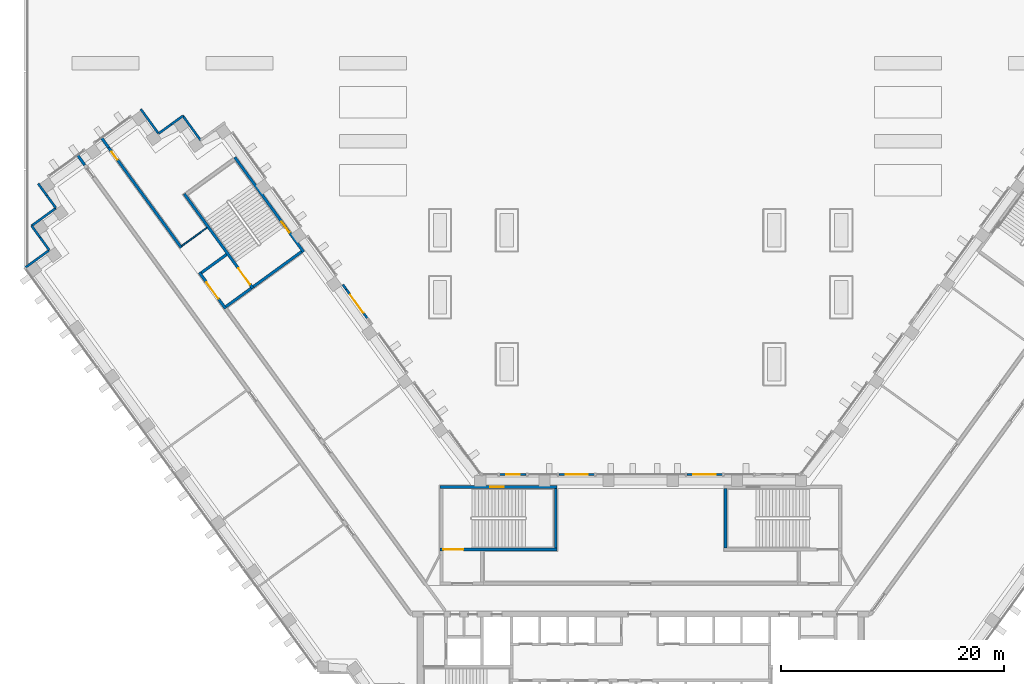
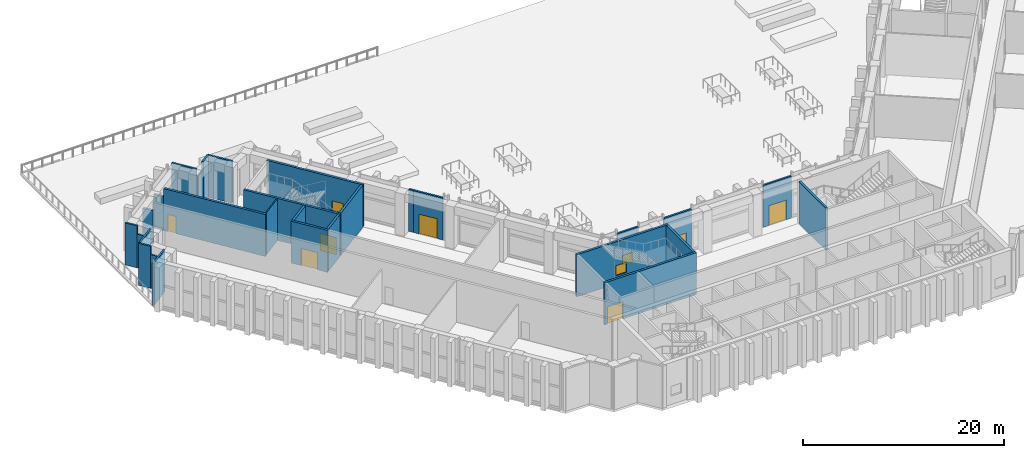
# One storey, part 16 of 25: 29 walls, 7 doors, 3 windows, 10 openings.
"""IFC4 building model written with IfcOpenShell, lengths in metres."""

from ifc_helpers import new_model, si_unit, direction, frame, frame_2d, origin, place, context, subcontext, project, spatial, rectangle, extrude, material, layer, layer_set, type_object, element, fill, save


model = new_model("IFC4")

# Units and contexts
model_context = context("Model", 3, precision=1e-05, world=origin(), true_north=direction((0.0, 1.0)))
body_context = subcontext(model_context, "Body", "Model", "MODEL_VIEW")
ifc_project = project(units=[si_unit("LENGTHUNIT", "METRE"), si_unit("AREAUNIT", "SQUARE_METRE"), si_unit("VOLUMEUNIT", "CUBIC_METRE"), si_unit("PLANEANGLEUNIT", "RADIAN"), si_unit("MASSUNIT", "GRAM", prefix="KILO")], contexts=[model_context])

# Site, building, storey
site_placement = place(None, origin())
site = spatial("IfcSite", under=ifc_project, at=site_placement, CompositionType="ELEMENT")
building_placement = place(site_placement, origin())
building = spatial("IfcBuilding", under=site, at=building_placement, Name="Quipu Civic Tower", CompositionType="ELEMENT")
storey_placement = place(building_placement, frame((0.0, 0.0, 6.0)))
storey = spatial("IfcBuildingStorey", under=building, at=storey_placement, Name="L01", CompositionType="ELEMENT", Elevation=6.0)

# Wall, opening, door
ifc_material_1 = material(Name="Concrete C70/85", Category="concrete")
ifc_layer_1 = layer(ifc_material_1, 0.25)
ifc_layer_set_1 = layer_set([ifc_layer_1], Name="Concrete C70/85")
wall_type_1 = type_object("IfcWallType", Name="Core wall 250", PredefinedType="SHEAR", material=ifc_layer_set_1)
wall_1_placement = place(storey_placement, frame((-18.0, 4.375, 0.0), z_axis=(0.0, 0.0, 1.0), x_axis=(1.0, 0.0, 0.0)))
wall_1 = element("IfcWall", 1, at=wall_1_placement, inside=storey, type_object=wall_type_1, Name="Core wall", PredefinedType="SHEAR", context=body_context, shape_type="SweptSolid", body=[
    extrude(rectangle(XDim=10.5, YDim=0.25, at=frame_2d((5.25, 0.0))), origin(), (0.0, 0.0, 1.0), 5.10009765625),
])
opening_1_placement = place(wall_1_placement, frame((0.300048828125, 0.0, 0.0)))
opening_1 = element("IfcOpeningElement", 2, at=opening_1_placement, cuts=wall_1, Name="Opening CD-16", PredefinedType="OPENING", context=body_context, shape_type="SweptSolid", body=[
    extrude(rectangle(XDim=1.800048828125, YDim=2.10009765625, at=frame_2d((0.89990234375, 1.050048828125))), frame((0.0, 0.135009765625, 0.0), z_axis=(0.0, -1.0, 0.0), x_axis=(1.0, 0.0, 0.0)), (0.0, 0.0, 1.0), 0.27001953125),
])
ifc_material_2 = material(Name="Fire rated steel door", Category="steel")
door_type_1 = type_object("IfcDoorType", Name="Fire door FD90 double 1800 x 2100", OperationType="NOTDEFINED", PredefinedType="DOOR", material=ifc_material_2)
door_1_placement = place(opening_1_placement, origin())
door_1 = element("IfcDoor", 3, at=door_1_placement, inside=storey, type_object=door_type_1, Name="Door", OperationType="DOUBLE_DOOR_SINGLE_SWING", OverallHeight=2.10009765625, OverallWidth=1.800048828125, PredefinedType="DOOR", context=body_context, shape_type="SweptSolid", body=[
    extrude(rectangle(XDim=1.800048828125, YDim=2.10009765625, at=frame_2d((0.89990234375, 1.050048828125))), frame((0.0, 0.02490234375, 0.0), z_axis=(0.0, -1.0, 0.0), x_axis=(1.0, 0.0, 0.0)), (0.0, 0.0, 1.0), 0.050048828125),
])
fill(opening_1, door_1)

# Wall
wall_2_placement = place(storey_placement, frame((-7.625, 4.5, 0.0), z_axis=(0.0, 0.0, 1.0), x_axis=(0.0, 1.0, 0.0)))
element("IfcWall", 4, at=wall_2_placement, inside=storey, type_object=wall_type_1, Name="Core wall", PredefinedType="SHEAR", context=body_context, shape_type="SweptSolid", body=[
    extrude(rectangle(XDim=5.35009765625, YDim=0.25, at=frame_2d((2.675048828125, 0.0))), origin(), (0.0, 0.0, 1.0), 5.10009765625),
])

# Wall, opening, window
wall_3_placement = place(storey_placement, frame((-18.0, 9.97509765625, 0.0), z_axis=(0.0, 0.0, 1.0), x_axis=(1.0, 0.0, 0.0)))
wall_3 = element("IfcWall", 5, at=wall_3_placement, inside=storey, type_object=wall_type_1, Name="Core wall", PredefinedType="SHEAR", context=body_context, shape_type="SweptSolid", body=[
    extrude(rectangle(XDim=10.5, YDim=0.25, at=frame_2d((5.25, 0.0))), origin(), (0.0, 0.0, 1.0), 5.10009765625),
])
opening_2_placement = place(wall_3_placement, frame((4.5, 0.0, 1.0)))
opening_2 = element("IfcOpeningElement", 6, at=opening_2_placement, cuts=wall_3, Name="Opening SV-3", PredefinedType="OPENING", context=body_context, shape_type="SweptSolid", body=[
    extrude(rectangle(XDim=1.199951171875, YDim=1.199951171875, at=frame_2d((0.60009765625, 0.60009765625))), frame((0.0, 0.135009765625, 0.0), z_axis=(0.0, -1.0, 0.0), x_axis=(1.0, 0.0, 0.0)), (0.0, 0.0, 1.0), 0.27001953125),
])
ifc_material_3 = material(Name="Aluminium louvre", Category="aluminium")
window_type_1 = type_object("IfcWindowType", Name="Stair ventilation louvre 1200 x 1200", PartitioningType="SINGLE_PANEL", PredefinedType="WINDOW", material=ifc_material_3)
window_1_placement = place(opening_2_placement, origin())
window_1 = element("IfcWindow", 7, at=window_1_placement, inside=storey, type_object=window_type_1, Name="Stair ventilation opening", OverallHeight=1.199951171875, OverallWidth=1.199951171875, PartitioningType="SINGLE_PANEL", PredefinedType="WINDOW", context=body_context, shape_type="SweptSolid", body=[
    extrude(rectangle(XDim=1.199951171875, YDim=1.199951171875, at=frame_2d((0.60009765625, 0.60009765625))), frame((0.0, 0.030029296875, 0.0), z_axis=(0.0, -1.0, 0.0), x_axis=(1.0, 0.0, 0.0)), (0.0, 0.0, 1.0), 0.06005859375),
])
fill(opening_2, window_1)

# Wall
wall_4_placement = place(storey_placement, frame((7.625, 4.5, 0.0), z_axis=(0.0, 0.0, 1.0), x_axis=(0.0, 1.0, 0.0)))
element("IfcWall", 8, at=wall_4_placement, inside=storey, type_object=wall_type_1, Name="Core wall", PredefinedType="SHEAR", context=body_context, shape_type="SweptSolid", body=[
    extrude(rectangle(XDim=5.35009765625, YDim=0.25, at=frame_2d((2.675048828125, 0.0))), origin(), (0.0, 0.0, 1.0), 5.10009765625),
])

# Wall, opening, window
wall_5_placement = place(storey_placement, frame((-30.239501953125, 31.06396484375, 0.0), z_axis=(0.0, 0.0, 1.0), x_axis=(-0.587795589702, 0.809009483706, 0.0)))
wall_5 = element("IfcWall", 9, at=wall_5_placement, inside=storey, type_object=wall_type_1, Name="Core wall", PredefinedType="SHEAR", context=body_context, shape_type="SweptSolid", body=[
    extrude(rectangle(XDim=10.5, YDim=0.25, at=frame_2d((5.25, 0.0))), origin(), (0.0, 0.0, 1.0), 5.10009765625),
])
opening_3_placement = place(wall_5_placement, frame((2.14990234375, 0.0, 1.0)))
opening_3 = element("IfcOpeningElement", 10, at=opening_3_placement, cuts=wall_5, Name="Opening SV-6", PredefinedType="OPENING", context=body_context, shape_type="SweptSolid", body=[
    extrude(rectangle(XDim=1.199951171875, YDim=1.199951171875, at=frame_2d((0.60009765625, 0.60009765625))), frame((0.0, 0.135009765625, 0.0), z_axis=(0.0, -1.0, 0.0), x_axis=(1.0, 0.0, 0.0)), (0.0, 0.0, 1.0), 0.27001953125),
])
window_2_placement = place(opening_3_placement, origin())
window_2 = element("IfcWindow", 11, at=window_2_placement, inside=storey, type_object=window_type_1, Name="Stair ventilation opening", OverallHeight=1.199951171875, OverallWidth=1.199951171875, PartitioningType="SINGLE_PANEL", PredefinedType="WINDOW", context=body_context, shape_type="SweptSolid", body=[
    extrude(rectangle(XDim=1.199951171875, YDim=1.199951171875, at=frame_2d((0.60009765625, 0.60009765625))), frame((0.0, 0.030029296875, 0.0), z_axis=(0.0, -1.0, 0.0), x_axis=(1.0, 0.0, 0.0)), (0.0, 0.0, 1.0), 0.06005859375),
])
fill(opening_3, window_2)

# Wall
wall_6_placement = place(storey_placement, frame((-30.414306640625, 31.091796875, 0.0), z_axis=(0.0, 0.0, 1.0), x_axis=(-0.8089984606, -0.587810760999, 0.0)))
element("IfcWall", 12, at=wall_6_placement, inside=storey, type_object=wall_type_1, Name="Core wall", PredefinedType="SHEAR", context=body_context, shape_type="SweptSolid", body=[
    extrude(rectangle(XDim=5.35009765625, YDim=0.25, at=frame_2d((2.675048828125, 0.0))), origin(), (0.0, 0.0, 1.0), 5.10009765625),
])

# Wall, opening, door
wall_7_placement = place(storey_placement, frame((-40.94189453125, 36.26708984375, 0.0), z_axis=(0.0, 0.0, 1.0), x_axis=(0.587795589702, -0.809009483706, 0.0)))
wall_7 = element("IfcWall", 13, at=wall_7_placement, inside=storey, type_object=wall_type_1, Name="Core wall", PredefinedType="SHEAR", context=body_context, shape_type="SweptSolid", body=[
    extrude(rectangle(XDim=10.5, YDim=0.25, at=frame_2d((5.25, 0.0))), origin(), (0.0, 0.0, 1.0), 5.10009765625),
])
opening_4_placement = place(wall_7_placement, frame((8.25, 0.0, 0.0)))
opening_4 = element("IfcOpeningElement", 14, at=opening_4_placement, cuts=wall_7, Name="Opening CD-19", PredefinedType="OPENING", context=body_context, shape_type="SweptSolid", body=[
    extrude(rectangle(XDim=1.800048828125, YDim=2.10009765625, at=frame_2d((0.89990234375, 1.050048828125))), frame((0.0, 0.135009765625, 0.0), z_axis=(0.0, -1.0, 0.0), x_axis=(1.0, 0.0, 0.0)), (0.0, 0.0, 1.0), 0.27001953125),
])
door_2_placement = place(opening_4_placement, origin())
door_2 = element("IfcDoor", 15, at=door_2_placement, inside=storey, type_object=door_type_1, Name="Door", OperationType="DOUBLE_DOOR_SINGLE_SWING", OverallHeight=2.10009765625, OverallWidth=1.800048828125, PredefinedType="DOOR", context=body_context, shape_type="SweptSolid", body=[
    extrude(rectangle(XDim=1.800048828125, YDim=2.10009765625, at=frame_2d((0.89990234375, 1.050048828125))), frame((0.0, 0.02490234375, 0.0), z_axis=(0.0, -1.0, 0.0), x_axis=(1.0, 0.0, 0.0)), (0.0, 0.0, 1.0), 0.050048828125),
])
fill(opening_4, door_2)

# Walls
for number, where, z_axis, x_axis, name in (
    (16, (-34.944580078125, 27.800048828125, 0.0), (0.0, 0.0, 1.0), (-0.809041377956, -0.587751689708, 0.0), "Core wall"),
    (17, (-37.14892578125, 30.833984375, 0.0), (0.0, 0.0, 1.0), (-0.808969789945, -0.58785021813, 0.0), "Core wall"),
):
    element("IfcWall", number, at=place(storey_placement, frame(where, z_axis=z_axis, x_axis=x_axis)), inside=storey, type_object=wall_type_1, Name=name, PredefinedType="SHEAR", context=body_context, shape_type="SweptSolid", body=[
        extrude(rectangle(XDim=2.800048828125, YDim=0.25, at=frame_2d((1.39990234375, 0.0))), origin(), (0.0, 0.0, 1.0), 5.10009765625),
    ])

# Wall, opening, door
wall_8_placement = place(storey_placement, frame((-39.588623046875, 29.2158203125, 0.0), z_axis=(0.0, 0.0, 1.0), x_axis=(0.587772420479, -0.809026317077, 0.0)))
wall_8 = element("IfcWall", 18, at=wall_8_placement, inside=storey, type_object=wall_type_1, Name="Core wall", PredefinedType="SHEAR", context=body_context, shape_type="SweptSolid", body=[
    extrude(rectangle(XDim=4.0, YDim=0.25, at=frame_2d((2.0, 0.0))), origin(), (0.0, 0.0, 1.0), 5.10009765625),
])
opening_5_placement = place(wall_8_placement, frame((1.10009765625, 0.0, 0.0)))
opening_5 = element("IfcOpeningElement", 19, at=opening_5_placement, cuts=wall_8, Name="Opening CD-20", PredefinedType="OPENING", context=body_context, shape_type="SweptSolid", body=[
    extrude(rectangle(XDim=1.800048828125, YDim=2.10009765625, at=frame_2d((0.89990234375, 1.050048828125))), frame((0.0, 0.135009765625, 0.0), z_axis=(0.0, -1.0, 0.0), x_axis=(1.0, 0.0, 0.0)), (0.0, 0.0, 1.0), 0.27001953125),
])
door_3_placement = place(opening_5_placement, origin())
door_3 = element("IfcDoor", 20, at=door_3_placement, inside=storey, type_object=door_type_1, Name="Lobby door", OperationType="DOUBLE_DOOR_SINGLE_SWING", OverallHeight=2.10009765625, OverallWidth=1.800048828125, PredefinedType="DOOR", context=body_context, shape_type="SweptSolid", body=[
    extrude(rectangle(XDim=1.800048828125, YDim=2.10009765625, at=frame_2d((0.89990234375, 1.050048828125))), frame((0.0, 0.02490234375, 0.0), z_axis=(0.0, -1.0, 0.0), x_axis=(1.0, 0.0, 0.0)), (0.0, 0.0, 1.0), 0.050048828125),
])
fill(opening_5, door_3)

ifc_material_4 = material(Name="Concrete C50/60", Category="concrete")
ifc_layer_2 = layer(ifc_material_4, 0.25)
ifc_layer_set_2 = layer_set([ifc_layer_2], Name="Concrete C50/60")
wall_type_2 = type_object("IfcWallType", Name="Corridor wall 250 concrete", PredefinedType="SOLIDWALL", material=ifc_layer_set_2)
wall_9_placement = place(storey_placement, frame((-47.724853515625, 40.414306640625, 0.0), z_axis=(0.0, 0.0, 1.0), x_axis=(0.587773291021, -0.809025684612, 0.0)))
wall_9 = element("IfcWall", 21, at=wall_9_placement, inside=storey, type_object=wall_type_2, Name="Corridor wall C03", PredefinedType="SOLIDWALL", context=body_context, shape_type="SweptSolid", body=[
    extrude(rectangle(XDim=11.07861328125, YDim=0.25, at=frame_2d((5.539306640625, 0.0))), origin(), (0.0, 0.0, 1.0), 5.10009765625),
])
opening_6_placement = place(wall_9_placement, frame((0.442138671875, 0.0, 0.0)))
opening_6 = element("IfcOpeningElement", 22, at=opening_6_placement, cuts=wall_9, Name="Opening D010", PredefinedType="OPENING", context=body_context, shape_type="SweptSolid", body=[
    extrude(rectangle(XDim=0.89990234375, YDim=2.10009765625, at=frame_2d((0.449951171875, 1.050048828125))), frame((0.0, 0.135009765625, 0.0), z_axis=(0.0, -1.0, 0.0), x_axis=(1.0, 0.0, 0.0)), (0.0, 0.0, 1.0), 0.27001953125),
])
ifc_material_5 = material(Name="Fire rated timber door set with metal frame", Category="wood")
door_type_2 = type_object("IfcDoorType", Name="Single door 900 x 2100 FD60", OperationType="NOTDEFINED", PredefinedType="DOOR", material=ifc_material_5)
door_4_placement = place(opening_6_placement, origin())
door_4 = element("IfcDoor", 23, at=door_4_placement, inside=storey, type_object=door_type_2, Name="Door D010", OperationType="SINGLE_SWING_LEFT", OverallHeight=2.10009765625, OverallWidth=0.89990234375, PredefinedType="DOOR", context=body_context, shape_type="SweptSolid", body=[
    extrude(rectangle(XDim=0.89990234375, YDim=2.10009765625, at=frame_2d((0.449951171875, 1.050048828125))), frame((0.0, 0.02490234375, 0.0), z_axis=(0.0, -1.0, 0.0), x_axis=(1.0, 0.0, 0.0)), (0.0, 0.0, 1.0), 0.050048828125),
])
fill(opening_6, door_4)

# Walls
wall_10_placement = place(storey_placement, frame((-49.86865234375, 38.8564453125, 0.0), z_axis=(0.0, 0.0, 1.0), x_axis=(-0.587674273289, 0.809097613712, 0.0)))
element("IfcWall", 24, at=wall_10_placement, inside=storey, type_object=wall_type_2, Name="Corridor wall C02", PredefinedType="SOLIDWALL", context=body_context, shape_type="SweptSolid", body=[
    extrude(rectangle(XDim=1.109130859375, YDim=0.25, at=frame_2d((0.5546875, 0.0))), origin(), (0.0, 0.0, 1.0), 4.10009765625),
])
wall_11_placement = place(storey_placement, frame((-47.724853515625, 40.414306640625, 0.0), z_axis=(0.0, 0.0, 1.0), x_axis=(-0.587883639643, 0.808945502639, 0.0)))
element("IfcWall", 25, at=wall_11_placement, inside=storey, type_object=wall_type_2, Name="Corridor wall C03", PredefinedType="SOLIDWALL", context=body_context, shape_type="SweptSolid", body=[
    extrude(rectangle(XDim=1.10888671875, YDim=0.25, at=frame_2d((0.554443359375, 0.0))), origin(), (0.0, 0.0, 1.0), 4.10009765625),
])
ifc_material_6 = material(Name="Gypsum plasterboard on light gauge framing")
ifc_layer_3 = layer(ifc_material_6, 0.1201171875)
ifc_layer_set_3 = layer_set([ifc_layer_3], Name="Gypsum plasterboard on light gauge framing")
wall_type_3 = type_object("IfcWallType", Name="Partition 120 plasterboard", PredefinedType="PARTITIONING", material=ifc_layer_set_3)
wall_12_placement = place(storey_placement, frame((-41.166015625, 31.59912109375, 0.0), z_axis=(0.0, 0.0, 1.0), x_axis=(0.809090262332, 0.587684394381, 0.0)))
element("IfcWall", 26, at=wall_12_placement, inside=storey, type_object=wall_type_3, Name="Partition P11", PredefinedType="PARTITIONING", context=body_context, shape_type="SweptSolid", body=[
    extrude(rectangle(XDim=2.80078125, YDim=0.1201171875, at=frame_2d((1.400390625, 0.0))), origin(), (0.0, 0.0, 1.0), 5.10009765625),
])
ifc_material_7 = material(Name="Precast concrete C40/50", Category="concrete")
wall_type_4 = type_object("IfcWallType", Name="Precast cladding wall", PredefinedType="SOLIDWALL", material=ifc_material_7)
wall_13_placement = place(storey_placement, frame((-39.488037109375, 41.093505859375, 0.0), z_axis=(0.0, 0.0, 1.0), x_axis=(-0.587806000234, 0.809001919707, 0.0)))
element("IfcWall", 27, at=wall_13_placement, inside=storey, type_object=wall_type_4, Name="Precast cladding wall L01 11", PredefinedType="SOLIDWALL", context=body_context, shape_type="SweptSolid", body=[
    extrude(rectangle(XDim=2.69970703125, YDim=0.199951171875, at=frame_2d((1.349853515625, 0.0))), origin(), (0.0, 0.0, 1.0), 5.10009765625),
])
wall_14_placement = place(storey_placement, frame((-41.05810546875, 43.275146484375, 0.0), z_axis=(0.0, 0.0, 1.0), x_axis=(-0.809056865039, -0.587730371117, 0.0)))
element("IfcWall", 28, at=wall_14_placement, inside=storey, type_object=wall_type_4, Name="Precast cladding wall L01 12", PredefinedType="SOLIDWALL", context=body_context, shape_type="SweptSolid", body=[
    extrude(rectangle(XDim=1.31591796875, YDim=0.199951171875, at=frame_2d((0.657958984375, 0.0))), origin(), (0.0, 0.0, 1.0), 5.10009765625),
])
wall_15_placement = place(storey_placement, frame((-42.122802734375, 42.501708984375, 0.0), z_axis=(0.0, 0.0, 1.0), x_axis=(-0.808926734208, -0.5879094647, 0.0)))
element("IfcWall", 29, at=wall_15_placement, inside=storey, type_object=wall_type_4, Name="Precast cladding wall L01 12 a", PredefinedType="SOLIDWALL", context=body_context, shape_type="SweptSolid", body=[
    extrude(rectangle(XDim=1.384033203125, YDim=0.199951171875, at=frame_2d((0.69189453125, 0.0))), origin(), (0.0, 0.0, 1.0), 4.10009765625),
])
wall_16_placement = place(storey_placement, frame((-43.25927734375, 41.690673828125, 0.0), z_axis=(0.0, 0.0, 1.0), x_axis=(-0.587822180636, 0.808990163075, 0.0)))
element("IfcWall", 30, at=wall_16_placement, inside=storey, type_object=wall_type_4, Name="Precast cladding wall L01 13", PredefinedType="SOLIDWALL", context=body_context, shape_type="SweptSolid", body=[
    extrude(rectangle(XDim=2.699951171875, YDim=0.199951171875, at=frame_2d((1.35009765625, 0.0))), origin(), (0.0, 0.0, 1.0), 5.10009765625),
])
wall_17_placement = place(storey_placement, frame((-54.0498046875, 37.1884765625, 0.0), z_axis=(0.0, 0.0, 1.0), x_axis=(0.58786388341, -0.808959859686, 0.0)))
element("IfcWall", 31, at=wall_17_placement, inside=storey, type_object=wall_type_4, Name="Precast cladding wall L01 16", PredefinedType="SOLIDWALL", context=body_context, shape_type="SweptSolid", body=[
    extrude(rectangle(XDim=1.320556640625, YDim=0.199951171875, at=frame_2d((0.66015625, 0.0))), origin(), (0.0, 0.0, 1.0), 5.10009765625),
])
wall_18_placement = place(storey_placement, frame((-53.2734375, 36.1201171875, 0.0), z_axis=(0.0, 0.0, 1.0), x_axis=(0.587782252522, -0.809019173827, 0.0)))
element("IfcWall", 32, at=wall_18_placement, inside=storey, type_object=wall_type_4, Name="Precast cladding wall L01 16 a", PredefinedType="SOLIDWALL", context=body_context, shape_type="SweptSolid", body=[
    extrude(rectangle(XDim=1.37939453125, YDim=0.199951171875, at=frame_2d((0.689697265625, 0.0))), origin(), (0.0, 0.0, 1.0), 4.10009765625),
])
wall_19_placement = place(storey_placement, frame((-52.46533203125, 34.9873046875, 0.0), z_axis=(0.0, 0.0, 1.0), x_axis=(-0.809033161865, -0.587762999008, 0.0)))
element("IfcWall", 33, at=wall_19_placement, inside=storey, type_object=wall_type_4, Name="Precast cladding wall L01 17", PredefinedType="SOLIDWALL", context=body_context, shape_type="SweptSolid", body=[
    extrude(rectangle(XDim=2.699951171875, YDim=0.199951171875, at=frame_2d((1.35009765625, 0.0))), origin(), (0.0, 0.0, 1.0), 5.10009765625),
])
wall_20_placement = place(storey_placement, frame((-54.647216796875, 33.4169921875, 0.0), z_axis=(0.0, 0.0, 1.0), x_axis=(0.587871379726, -0.808954412127, 0.0)))
element("IfcWall", 34, at=wall_20_placement, inside=storey, type_object=wall_type_4, Name="Precast cladding wall L01 18", PredefinedType="SOLIDWALL", context=body_context, shape_type="SweptSolid", body=[
    extrude(rectangle(XDim=1.30517578125, YDim=0.199951171875, at=frame_2d((0.652587890625, 0.0))), origin(), (0.0, 0.0, 1.0), 5.10009765625),
])
wall_21_placement = place(storey_placement, frame((-53.8798828125, 32.361083984375, 0.0), z_axis=(0.0, 0.0, 1.0), x_axis=(0.587776137069, -0.809023616894, 0.0)))
element("IfcWall", 35, at=wall_21_placement, inside=storey, type_object=wall_type_4, Name="Precast cladding wall L01 18 a", PredefinedType="SOLIDWALL", context=body_context, shape_type="SweptSolid", body=[
    extrude(rectangle(XDim=1.394775390625, YDim=0.199951171875, at=frame_2d((0.697265625, 0.0))), origin(), (0.0, 0.0, 1.0), 4.10009765625),
])
wall_22_placement = place(storey_placement, frame((-53.062744140625, 31.2158203125, 0.0), z_axis=(0.0, 0.0, 1.0), x_axis=(-0.809033161865, -0.587762999008, 0.0)))
element("IfcWall", 36, at=wall_22_placement, inside=storey, type_object=wall_type_4, Name="Precast cladding wall L01 19", PredefinedType="SOLIDWALL", context=body_context, shape_type="SweptSolid", body=[
    extrude(rectangle(XDim=2.699951171875, YDim=0.199951171875, at=frame_2d((1.35009765625, 0.0))), origin(), (0.0, 0.0, 1.0), 5.10009765625),
])

# Wall, opening, window
wall_23_placement = place(storey_placement, frame((-10.263427734375, 11.10009765625, 0.0), z_axis=(0.0, 0.0, 1.0), x_axis=(-1.0, 0.0, 0.0)))
wall_23 = element("IfcWall", 37, at=wall_23_placement, inside=storey, type_object=wall_type_4, Name="Vent surround SF-L01-1", PredefinedType="SOLIDWALL", context=body_context, shape_type="SweptSolid", body=[
    extrude(rectangle(XDim=2.3916015625, YDim=0.199951171875, at=frame_2d((1.19580078125, 0.0))), origin(), (0.0, 0.0, 1.0), 5.10009765625),
])
opening_7_placement = place(wall_23_placement, frame((0.595703125, 0.0, 1.0)))
opening_7 = element("IfcOpeningElement", 38, at=opening_7_placement, cuts=wall_23, Name="Opening SF-L01-1", PredefinedType="OPENING", context=body_context, shape_type="SweptSolid", body=[
    extrude(rectangle(XDim=1.199951171875, YDim=1.199951171875, at=frame_2d((0.60009765625, 0.60009765625))), frame((0.0, 0.10986328125, 0.0), z_axis=(0.0, -1.0, 0.0), x_axis=(1.0, 0.0, 0.0)), (0.0, 0.0, 1.0), 0.219970703125),
])
ifc_material_8 = material(Name="Anodised aluminium louvre", Category="aluminium")
window_type_2 = type_object("IfcWindowType", Name="Stair vent louvre window P3", PartitioningType="SINGLE_PANEL", PredefinedType="WINDOW", material=ifc_material_8)
window_3_placement = place(opening_7_placement, origin())
window_3 = element("IfcWindow", 39, at=window_3_placement, inside=storey, type_object=window_type_2, Name="Stair vent louvre SF-L01-1", OverallHeight=1.199951171875, OverallWidth=1.199951171875, PartitioningType="SINGLE_PANEL", PredefinedType="WINDOW", context=body_context, shape_type="SweptSolid", body=[
    extrude(rectangle(XDim=1.199951171875, YDim=1.199951171875, at=frame_2d((0.60009765625, 0.60009765625))), frame((0.0, 0.030029296875, 0.0), z_axis=(0.0, -1.0, 0.0), x_axis=(1.0, 0.0, 0.0)), (0.0, 0.0, 1.0), 0.06005859375),
])
fill(opening_7, window_3)

# Wall, opening, door
ifc_material_9 = material(Name="Precast concrete C40/50", Category="concrete")
wall_type_5 = type_object("IfcWallType", Name="Precast door surround", PredefinedType="SOLIDWALL", material=ifc_material_9)
wall_24_placement = place(storey_placement, frame((-26.40869140625, 27.705322265625, 0.0), z_axis=(0.0, 0.0, 1.0), x_axis=(0.587800113352, -0.809006196974, 0.0)))
wall_24 = element("IfcWall", 40, at=wall_24_placement, inside=storey, type_object=wall_type_5, Name="Door surround ED-L01-3", PredefinedType="SOLIDWALL", context=body_context, shape_type="SweptSolid", body=[
    extrude(rectangle(XDim=3.2041015625, YDim=0.199951171875, at=frame_2d((1.60205078125, 0.0))), origin(), (0.0, 0.0, 1.0), 5.10009765625),
])
opening_8_placement = place(wall_24_placement, frame((0.60205078125, 0.0, 0.0)))
opening_8 = element("IfcOpeningElement", 41, at=opening_8_placement, cuts=wall_24, Name="Opening ED-L01-3", PredefinedType="OPENING", context=body_context, shape_type="SweptSolid", body=[
    extrude(rectangle(XDim=2.0, YDim=2.39990234375, at=frame_2d((1.0, 1.199951171875))), frame((0.0, 0.10986328125, 0.0), z_axis=(0.0, -1.0, 0.0), x_axis=(1.0, 0.0, 0.0)), (0.0, 0.0, 1.0), 0.219970703125),
])
ifc_material_10 = material(Name="Aluminium framed glazed door", Category="aluminium")
door_type_3 = type_object("IfcDoorType", Name="Deck door E2", OperationType="DOUBLE_DOOR_SINGLE_SWING", PredefinedType="DOOR", material=ifc_material_10)
door_5_placement = place(opening_8_placement, origin())
door_5 = element("IfcDoor", 42, at=door_5_placement, inside=storey, type_object=door_type_3, Name="E2 door ED-L01-3", OperationType="DOUBLE_DOOR_SINGLE_SWING", OverallHeight=2.39990234375, OverallWidth=2.0, PredefinedType="DOOR", context=body_context, shape_type="SweptSolid", body=[
    extrude(rectangle(XDim=2.0, YDim=2.39990234375, at=frame_2d((1.0, 1.199951171875))), frame((0.0, 0.02490234375, 0.0), z_axis=(0.0, -1.0, 0.0), x_axis=(1.0, 0.0, 0.0)), (0.0, 0.0, 1.0), 0.050048828125),
])
fill(opening_8, door_5)

wall_25_placement = place(storey_placement, frame((4.143310546875, 11.10009765625, 0.0), z_axis=(0.0, 0.0, 1.0), x_axis=(1.0, 0.0, 0.0)))
wall_25 = element("IfcWall", 43, at=wall_25_placement, inside=storey, type_object=wall_type_5, Name="Door surround ED-L01-1", PredefinedType="SOLIDWALL", context=body_context, shape_type="SweptSolid", body=[
    extrude(rectangle(XDim=3.188720703125, YDim=0.199951171875, at=frame_2d((1.59423828125, 0.0))), origin(), (0.0, 0.0, 1.0), 5.10009765625),
])
opening_9_placement = place(wall_25_placement, frame((0.59423828125, 0.0, 0.0)))
opening_9 = element("IfcOpeningElement", 44, at=opening_9_placement, cuts=wall_25, Name="Opening ED-L01-1", PredefinedType="OPENING", context=body_context, shape_type="SweptSolid", body=[
    extrude(rectangle(XDim=2.0, YDim=2.39990234375, at=frame_2d((1.0, 1.199951171875))), frame((0.0, 0.10986328125, 0.0), z_axis=(0.0, -1.0, 0.0), x_axis=(1.0, 0.0, 0.0)), (0.0, 0.0, 1.0), 0.219970703125),
])
door_6_placement = place(opening_9_placement, origin())
door_6 = element("IfcDoor", 45, at=door_6_placement, inside=storey, type_object=door_type_3, Name="E2 door ED-L01-1", OperationType="DOUBLE_DOOR_SINGLE_SWING", OverallHeight=2.39990234375, OverallWidth=2.0, PredefinedType="DOOR", context=body_context, shape_type="SweptSolid", body=[
    extrude(rectangle(XDim=2.0, YDim=2.39990234375, at=frame_2d((1.0, 1.199951171875))), frame((0.0, 0.02490234375, 0.0), z_axis=(0.0, -1.0, 0.0), x_axis=(1.0, 0.0, 0.0)), (0.0, 0.0, 1.0), 0.050048828125),
])
fill(opening_9, door_6)

wall_26_placement = place(storey_placement, frame((-7.33203125, 11.10009765625, 0.0), z_axis=(0.0, 0.0, 1.0), x_axis=(1.0, 0.0, 0.0)))
wall_26 = element("IfcWall", 46, at=wall_26_placement, inside=storey, type_object=wall_type_5, Name="Door surround ED-L01-2", PredefinedType="SOLIDWALL", context=body_context, shape_type="SweptSolid", body=[
    extrude(rectangle(XDim=3.188720703125, YDim=0.199951171875, at=frame_2d((1.59423828125, 0.0))), origin(), (0.0, 0.0, 1.0), 5.10009765625),
])
opening_10_placement = place(wall_26_placement, frame((0.59423828125, 0.0, 0.0)))
opening_10 = element("IfcOpeningElement", 47, at=opening_10_placement, cuts=wall_26, Name="Opening ED-L01-2", PredefinedType="OPENING", context=body_context, shape_type="SweptSolid", body=[
    extrude(rectangle(XDim=2.0, YDim=2.39990234375, at=frame_2d((1.0, 1.199951171875))), frame((0.0, 0.10986328125, 0.0), z_axis=(0.0, -1.0, 0.0), x_axis=(1.0, 0.0, 0.0)), (0.0, 0.0, 1.0), 0.219970703125),
])
door_7_placement = place(opening_10_placement, origin())
door_7 = element("IfcDoor", 48, at=door_7_placement, inside=storey, type_object=door_type_3, Name="E2 door ED-L01-2", OperationType="DOUBLE_DOOR_SINGLE_SWING", OverallHeight=2.39990234375, OverallWidth=2.0, PredefinedType="DOOR", context=body_context, shape_type="SweptSolid", body=[
    extrude(rectangle(XDim=2.0, YDim=2.39990234375, at=frame_2d((1.0, 1.199951171875))), frame((0.0, 0.02490234375, 0.0), z_axis=(0.0, -1.0, 0.0), x_axis=(1.0, 0.0, 0.0)), (0.0, 0.0, 1.0), 0.050048828125),
])
fill(opening_10, door_7)

# Wall
wall_27_placement = place(storey_placement, frame((-26.40869140625, 27.705322265625, 0.0), z_axis=(0.0, 0.0, 1.0), x_axis=(-0.587649242333, 0.809115793929, 0.0)))
element("IfcWall", 49, at=wall_27_placement, inside=storey, type_object=wall_type_5, Name="Door surround ED-L01-3", PredefinedType="SOLIDWALL", context=body_context, shape_type="SweptSolid", body=[
    extrude(rectangle(XDim=0.528076171875, YDim=0.199951171875, at=frame_2d((0.26416015625, 0.0))), origin(), (0.0, 0.0, 1.0), 5.10009765625),
])

save(model, "model.ifc")
